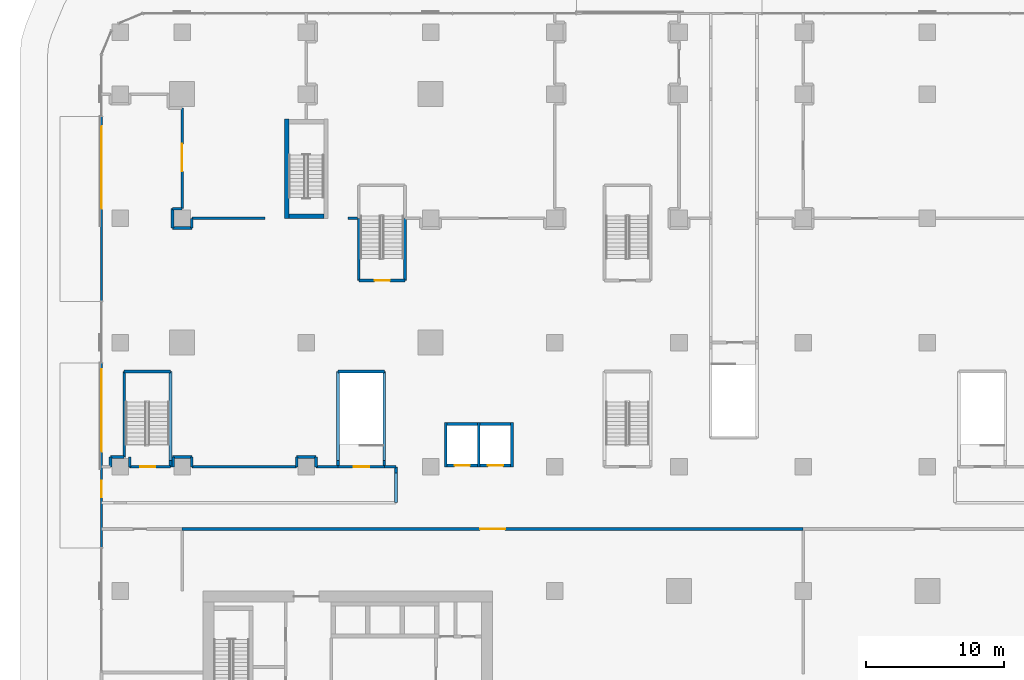
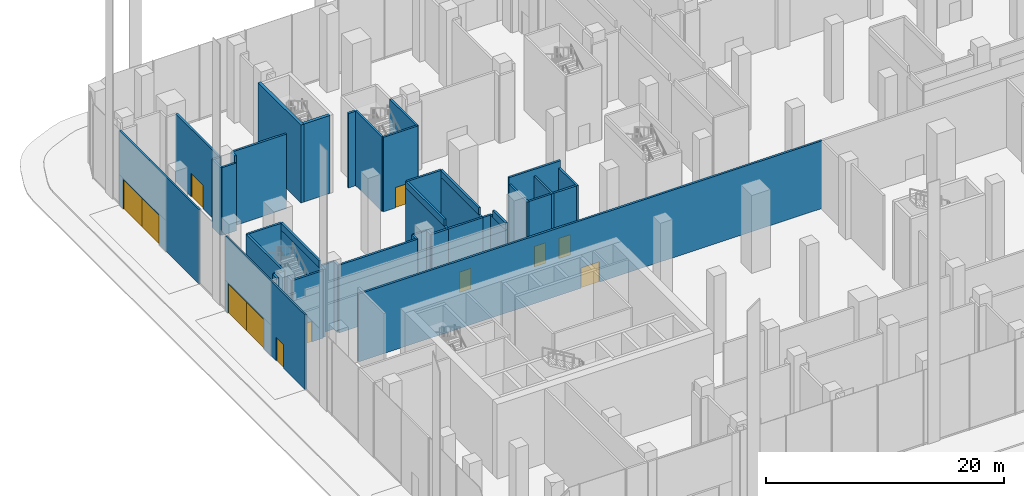
# One storey, part 19 of 42: 45 walls, 12 doors, 12 openings.
"""IFC4 building model written with IfcOpenShell, lengths in metres."""

from ifc_helpers import new_model, si_unit, direction, frame, frame_2d, origin, place, context, subcontext, project, spatial, rectangle, extrude, material, layer, layer_set, type_object, element, fill, save


model = new_model("IFC4")

# Units and contexts
model_context = context("Model", 3, precision=1e-05, world=origin(), true_north=direction((0.0, 1.0)))
body_context = subcontext(model_context, "Body", "Model", "MODEL_VIEW")
ifc_project = project(units=[si_unit("LENGTHUNIT", "METRE"), si_unit("AREAUNIT", "SQUARE_METRE"), si_unit("VOLUMEUNIT", "CUBIC_METRE"), si_unit("PLANEANGLEUNIT", "RADIAN"), si_unit("MASSUNIT", "GRAM", prefix="KILO")], contexts=[model_context])

# Site, building, storey
site_placement = place(None, origin())
site = spatial("IfcSite", under=ifc_project, at=site_placement, CompositionType="ELEMENT")
building_placement = place(site_placement, origin())
building = spatial("IfcBuilding", under=site, at=building_placement, Name="Plateau Cross Towers", CompositionType="ELEMENT")
storey_placement = place(building_placement, origin())
storey = spatial("IfcBuildingStorey", under=building, at=storey_placement, Name="L00", CompositionType="ELEMENT", Elevation=0.0)

# Wall, openings, doors
ifc_material_1 = material(Name="Concrete block, plastered both sides", Category="concrete")
ifc_layer_1 = layer(ifc_material_1, 0.199951171875)
ifc_layer_set_1 = layer_set([ifc_layer_1], Name="Concrete block, plastered both sides")
wall_type_1 = type_object("IfcWallType", Name="Core partition 200", PredefinedType="PARTITIONING", material=ifc_layer_set_1)
wall_1_placement = place(storey_placement, frame((19.0, 27.10009765625, 0.0), z_axis=(0.0, 0.0, 1.0), x_axis=(1.0, 0.0, 0.0)))
wall_1 = element("IfcWall", 1, at=wall_1_placement, inside=storey, type_object=wall_type_1, Name="Core partition", PredefinedType="PARTITIONING", context=body_context, shape_type="SweptSolid", body=[
    extrude(rectangle(XDim=5.0, YDim=0.199951171875, at=frame_2d((2.5, 0.0))), origin(), (0.0, 0.0, 1.0), 6.949951171875),
])
opening_1_placement = place(wall_1_placement, frame((0.75, 0.0, 0.0)))
opening_1 = element("IfcOpeningElement", 2, at=opening_1_placement, cuts=wall_1, Name="Opening LD", PredefinedType="OPENING", context=body_context, shape_type="SweptSolid", body=[
    extrude(rectangle(XDim=1.10009765625, YDim=2.10009765625, at=frame_2d((0.550048828125, 1.050048828125))), frame((0.0, 0.10986328125, 0.0), z_axis=(0.0, -1.0, 0.0), x_axis=(1.0, 0.0, 0.0)), (0.0, 0.0, 1.0), 0.219970703125),
])
opening_2_placement = place(wall_1_placement, frame((3.14990234375, 0.0, 0.0)))
opening_2 = element("IfcOpeningElement", 3, at=opening_2_placement, cuts=wall_1, Name="Opening LD", PredefinedType="OPENING", context=body_context, shape_type="SweptSolid", body=[
    extrude(rectangle(XDim=1.10009765625, YDim=2.10009765625, at=frame_2d((0.550048828125, 1.050048828125))), frame((0.0, 0.10986328125, 0.0), z_axis=(0.0, -1.0, 0.0), x_axis=(1.0, 0.0, 0.0)), (0.0, 0.0, 1.0), 0.219970703125),
])
ifc_material_2 = material(Name="Stainless steel, fire-resisting sliding leaves", Category="steel")
door_type_1 = type_object("IfcDoorType", Name="Lift landing door 1100", OperationType="NOTDEFINED", PredefinedType="DOOR", material=ifc_material_2)
door_1_placement = place(opening_1_placement, origin())
door_1 = element("IfcDoor", 4, at=door_1_placement, inside=storey, type_object=door_type_1, Name="Lift landing door LD", OperationType="DOUBLE_DOOR_SLIDING", OverallHeight=2.10009765625, OverallWidth=1.10009765625, PredefinedType="DOOR", context=body_context, shape_type="SweptSolid", body=[
    extrude(rectangle(XDim=1.10009765625, YDim=2.10009765625, at=frame_2d((0.550048828125, 1.050048828125))), frame((0.0, 0.02490234375, 0.0), z_axis=(0.0, -1.0, 0.0), x_axis=(1.0, 0.0, 0.0)), (0.0, 0.0, 1.0), 0.050048828125),
])
fill(opening_1, door_1)
door_2_placement = place(opening_2_placement, origin())
door_2 = element("IfcDoor", 5, at=door_2_placement, inside=storey, type_object=door_type_1, Name="Lift landing door LD", OperationType="DOUBLE_DOOR_SLIDING", OverallHeight=2.10009765625, OverallWidth=1.10009765625, PredefinedType="DOOR", context=body_context, shape_type="SweptSolid", body=[
    extrude(rectangle(XDim=1.10009765625, YDim=2.10009765625, at=frame_2d((0.550048828125, 1.050048828125))), frame((0.0, 0.02490234375, 0.0), z_axis=(0.0, -1.0, 0.0), x_axis=(1.0, 0.0, 0.0)), (0.0, 0.0, 1.0), 0.050048828125),
])
fill(opening_2, door_2)

# Walls
wall_2_placement = place(storey_placement, frame((19.0, 30.10009765625, 0.0), z_axis=(0.0, 0.0, 1.0), x_axis=(1.0, 0.0, 0.0)))
element("IfcWall", 6, at=wall_2_placement, inside=storey, type_object=wall_type_1, Name="Core partition", PredefinedType="PARTITIONING", context=body_context, shape_type="SweptSolid", body=[
    extrude(rectangle(XDim=5.0, YDim=0.199951171875, at=frame_2d((2.5, 0.0))), origin(), (0.0, 0.0, 1.0), 7.64990234375),
])
for number, where, z_axis, x_axis, name in (
    (7, (19.10009765625, 27.0, 0.0), (0.0, 0.0, 1.0), (0.0, 1.0, 0.0), "Core partition"),
    (8, (21.5, 27.0, 0.0), (0.0, 0.0, 1.0), (0.0, 1.0, 0.0), "Core partition"),
    (9, (23.89990234375, 27.0, 0.0), (0.0, 0.0, 1.0), (0.0, 1.0, 0.0), "Core partition"),
):
    element("IfcWall", number, at=place(storey_placement, frame(where, z_axis=z_axis, x_axis=x_axis)), inside=storey, type_object=wall_type_1, Name=name, PredefinedType="PARTITIONING", context=body_context, shape_type="SweptSolid", body=[
        extrude(rectangle(XDim=3.199951171875, YDim=0.199951171875, at=frame_2d((1.60009765625, 0.0))), origin(), (0.0, 0.0, 1.0), 6.949951171875),
    ])

# Wall, openings, doors
ifc_material_3 = material(Name="Aluminium framed glazing", Category="aluminium")
ifc_layer_2 = layer(ifc_material_3, 0.159912109375)
ifc_layer_set_2 = layer_set([ifc_layer_2], Name="Aluminium framed glazing")
wall_type_2 = type_object("IfcWallType", Name="Entrance screen wall 160", PredefinedType="STANDARD", material=ifc_layer_set_2)
wall_3_placement = place(storey_placement, frame((-5.85009765625, 21.1298828125, 0.0), z_axis=(0.0, 0.0, 1.0), x_axis=(0.0, 1.0, 0.0)))
wall_3 = element("IfcWall", 10, at=wall_3_placement, inside=storey, type_object=wall_type_2, Name="Station station-W1 screen wall", PredefinedType="STANDARD", context=body_context, shape_type="SweptSolid", body=[
    extrude(rectangle(XDim=13.39501953125, YDim=0.159912109375, at=frame_2d((6.697509765625, 0.0))), origin(), (0.0, 0.0, 1.0), 7.64990234375),
])
opening_3_placement = place(wall_3_placement, frame((6.947509765625, 0.0, 0.0)))
opening_3 = element("IfcOpeningElement", 11, at=opening_3_placement, cuts=wall_3, Name="Opening XD3", PredefinedType="OPENING", context=body_context, shape_type="SweptSolid", body=[
    extrude(rectangle(XDim=3.0, YDim=3.0, at=frame_2d((1.5, 1.5))), frame((0.0, 0.08984375, 0.0), z_axis=(0.0, -1.0, 0.0), x_axis=(1.0, 0.0, 0.0)), (0.0, 0.0, 1.0), 0.179931640625),
])
opening_4_placement = place(wall_3_placement, frame((9.947509765625, 0.0, 0.0)))
opening_4 = element("IfcOpeningElement", 12, at=opening_4_placement, cuts=wall_3, Name="Opening XD3", PredefinedType="OPENING", context=body_context, shape_type="SweptSolid", body=[
    extrude(rectangle(XDim=3.0, YDim=3.0, at=frame_2d((1.5, 1.5))), frame((0.0, 0.08984375, 0.0), z_axis=(0.0, -1.0, 0.0), x_axis=(1.0, 0.0, 0.0)), (0.0, 0.0, 1.0), 0.179931640625),
])
opening_5_placement = place(wall_3_placement, frame((3.669921875, 0.0, 0.0)))
opening_5 = element("IfcOpeningElement", 13, at=opening_5_placement, cuts=wall_3, Name="Opening XD4", PredefinedType="OPENING", context=body_context, shape_type="SweptSolid", body=[
    extrude(rectangle(XDim=1.199951171875, YDim=2.39990234375, at=frame_2d((0.60009765625, 1.199951171875))), frame((0.0, 0.08984375, 0.0), z_axis=(0.0, -1.0, 0.0), x_axis=(1.0, 0.0, 0.0)), (0.0, 0.0, 1.0), 0.179931640625),
])
ifc_material_4 = material(Name="Steel S355", Category="steel")
door_type_2 = type_object("IfcDoorType", Name="Service door single leaf 1200x2400", OperationType="SINGLE_SWING_LEFT", PredefinedType="DOOR", material=ifc_material_4)
door_3_placement = place(opening_5_placement, origin())
door_3 = element("IfcDoor", 14, at=door_3_placement, inside=storey, type_object=door_type_2, Name="Exit door XP-W", OperationType="SINGLE_SWING_LEFT", OverallHeight=2.39990234375, OverallWidth=1.199951171875, PredefinedType="DOOR", context=body_context, shape_type="SweptSolid", body=[
    extrude(rectangle(XDim=1.199951171875, YDim=2.39990234375, at=frame_2d((0.60009765625, 1.199951171875))), frame((0.0, 0.02490234375, 0.0), z_axis=(0.0, -1.0, 0.0), x_axis=(1.0, 0.0, 0.0)), (0.0, 0.0, 1.0), 0.050048828125),
])
fill(opening_5, door_3)
door_type_3 = type_object("IfcDoorType", Name="Station entrance sliding door 3000x3000", OperationType="SLIDING_TO_LEFT", PredefinedType="DOOR", material=ifc_material_3)
door_4_placement = place(opening_3_placement, origin())
door_4 = element("IfcDoor", 15, at=door_4_placement, inside=storey, type_object=door_type_3, Name="Station station-W1 door 1", OperationType="SINGLE_SWING_LEFT", OverallHeight=3.0, OverallWidth=3.0, PredefinedType="DOOR", context=body_context, shape_type="SweptSolid", body=[
    extrude(rectangle(XDim=3.0, YDim=3.0, at=frame_2d((1.5, 1.5))), frame((0.0, 0.02490234375, 0.0), z_axis=(0.0, -1.0, 0.0), x_axis=(1.0, 0.0, 0.0)), (0.0, 0.0, 1.0), 0.050048828125),
])
fill(opening_3, door_4)
door_5_placement = place(opening_4_placement, origin())
door_5 = element("IfcDoor", 16, at=door_5_placement, inside=storey, type_object=door_type_3, Name="Station station-W1 door 2", OperationType="SINGLE_SWING_LEFT", OverallHeight=3.0, OverallWidth=3.0, PredefinedType="DOOR", context=body_context, shape_type="SweptSolid", body=[
    extrude(rectangle(XDim=3.0, YDim=3.0, at=frame_2d((1.5, 1.5))), frame((0.0, 0.02490234375, 0.0), z_axis=(0.0, -1.0, 0.0), x_axis=(1.0, 0.0, 0.0)), (0.0, 0.0, 1.0), 0.050048828125),
])
fill(opening_4, door_5)

wall_4_placement = place(storey_placement, frame((-5.85009765625, 38.989990234375, 0.0), z_axis=(0.0, 0.0, 1.0), x_axis=(0.0, 1.0, 0.0)))
wall_4 = element("IfcWall", 17, at=wall_4_placement, inside=storey, type_object=wall_type_2, Name="Station station-W2 screen wall", PredefinedType="STANDARD", context=body_context, shape_type="SweptSolid", body=[
    extrude(rectangle(XDim=13.39501953125, YDim=0.159912109375, at=frame_2d((6.697509765625, 0.0))), origin(), (0.0, 0.0, 1.0), 7.64990234375),
])
opening_6_placement = place(wall_4_placement, frame((6.697509765625, 0.0, 0.0)))
opening_6 = element("IfcOpeningElement", 18, at=opening_6_placement, cuts=wall_4, Name="Opening XD3", PredefinedType="OPENING", context=body_context, shape_type="SweptSolid", body=[
    extrude(rectangle(XDim=3.0, YDim=3.0, at=frame_2d((1.5, 1.5))), frame((0.0, 0.08984375, 0.0), z_axis=(0.0, -1.0, 0.0), x_axis=(1.0, 0.0, 0.0)), (0.0, 0.0, 1.0), 0.179931640625),
])
opening_7_placement = place(wall_4_placement, frame((9.697509765625, 0.0, 0.0)))
opening_7 = element("IfcOpeningElement", 19, at=opening_7_placement, cuts=wall_4, Name="Opening XD3", PredefinedType="OPENING", context=body_context, shape_type="SweptSolid", body=[
    extrude(rectangle(XDim=3.0, YDim=3.0, at=frame_2d((1.5, 1.5))), frame((0.0, 0.08984375, 0.0), z_axis=(0.0, -1.0, 0.0), x_axis=(1.0, 0.0, 0.0)), (0.0, 0.0, 1.0), 0.179931640625),
])
door_6_placement = place(opening_6_placement, origin())
door_6 = element("IfcDoor", 20, at=door_6_placement, inside=storey, type_object=door_type_3, Name="Station station-W2 door 1", OperationType="SINGLE_SWING_LEFT", OverallHeight=3.0, OverallWidth=3.0, PredefinedType="DOOR", context=body_context, shape_type="SweptSolid", body=[
    extrude(rectangle(XDim=3.0, YDim=3.0, at=frame_2d((1.5, 1.5))), frame((0.0, 0.02490234375, 0.0), z_axis=(0.0, -1.0, 0.0), x_axis=(1.0, 0.0, 0.0)), (0.0, 0.0, 1.0), 0.050048828125),
])
fill(opening_6, door_6)
door_7_placement = place(opening_7_placement, origin())
door_7 = element("IfcDoor", 21, at=door_7_placement, inside=storey, type_object=door_type_3, Name="Station station-W2 door 2", OperationType="SINGLE_SWING_LEFT", OverallHeight=3.0, OverallWidth=3.0, PredefinedType="DOOR", context=body_context, shape_type="SweptSolid", body=[
    extrude(rectangle(XDim=3.0, YDim=3.0, at=frame_2d((1.5, 1.5))), frame((0.0, 0.02490234375, 0.0), z_axis=(0.0, -1.0, 0.0), x_axis=(1.0, 0.0, 0.0)), (0.0, 0.0, 1.0), 0.050048828125),
])
fill(opening_7, door_7)

# Wall, opening, door
ifc_material_5 = material(Name="Gypsum board on steel studs", Category="steel")
ifc_layer_3 = layer(ifc_material_5, 0.199951171875)
ifc_layer_set_3 = layer_set([ifc_layer_3], Name="Gypsum board on steel studs")
wall_type_3 = type_object("IfcWallType", Name="Podium partition 200", PredefinedType="PARTITIONING", material=ifc_layer_set_3)
wall_5_placement = place(storey_placement, frame((45.0, 22.5, 0.0), z_axis=(0.0, 0.0, 1.0), x_axis=(-1.0, 0.0, 0.0)))
wall_5 = element("IfcWall", 22, at=wall_5_placement, inside=storey, type_object=wall_type_3, Name="Partition wall", PredefinedType="PARTITIONING", context=body_context, shape_type="SweptSolid", body=[
    extrude(rectangle(XDim=45.0, YDim=0.199951171875, at=frame_2d((22.5, 0.0))), origin(), (0.0, 0.0, 1.0), 6.949951171875),
])
opening_8_placement = place(wall_5_placement, frame((21.60009765625, 0.0, 0.0)))
opening_8 = element("IfcOpeningElement", 23, at=opening_8_placement, cuts=wall_5, Name="Opening 00-32", PredefinedType="OPENING", context=body_context, shape_type="SweptSolid", body=[
    extrude(rectangle(XDim=1.800048828125, YDim=2.10009765625, at=frame_2d((0.89990234375, 1.050048828125))), frame((0.0, 0.10986328125, 0.0), z_axis=(0.0, -1.0, 0.0), x_axis=(1.0, 0.0, 0.0)), (0.0, 0.0, 1.0), 0.219970703125),
])
ifc_material_6 = material(Name="Aluminium frame, toughened glass", Category="aluminium")
door_type_4 = type_object("IfcDoorType", Name="Podium door pair 1800", OperationType="NOTDEFINED", PredefinedType="DOOR", material=ifc_material_6)
door_8_placement = place(opening_8_placement, origin())
door_8 = element("IfcDoor", 24, at=door_8_placement, inside=storey, type_object=door_type_4, Name="Door 00-32", OperationType="DOUBLE_DOOR_SINGLE_SWING", OverallHeight=2.10009765625, OverallWidth=1.800048828125, PredefinedType="DOOR", context=body_context, shape_type="SweptSolid", body=[
    extrude(rectangle(XDim=1.800048828125, YDim=2.10009765625, at=frame_2d((0.89990234375, 1.050048828125))), frame((0.0, 0.02490234375, 0.0), z_axis=(0.0, -1.0, 0.0), x_axis=(1.0, 0.0, 0.0)), (0.0, 0.0, 1.0), 0.050048828125),
])
fill(opening_8, door_8)

wall_6_placement = place(storey_placement, frame((0.0, 53.0, 0.0), z_axis=(0.0, 0.0, 1.0), x_axis=(0.0, -1.0, 0.0)))
wall_6 = element("IfcWall", 25, at=wall_6_placement, inside=storey, type_object=wall_type_3, Name="Partition wall", PredefinedType="PARTITIONING", context=body_context, shape_type="SweptSolid", body=[
    extrude(rectangle(XDim=7.300048828125, YDim=0.199951171875, at=frame_2d((3.64990234375, 0.0))), origin(), (0.0, 0.0, 1.0), 6.949951171875),
])
opening_9_placement = place(wall_6_placement, frame((2.60009765625, 0.0, 0.0)))
opening_9 = element("IfcOpeningElement", 26, at=opening_9_placement, cuts=wall_6, Name="Opening 00-24", PredefinedType="OPENING", context=body_context, shape_type="SweptSolid", body=[
    extrude(rectangle(XDim=2.0, YDim=2.39990234375, at=frame_2d((1.0, 1.199951171875))), frame((0.0, 0.10986328125, 0.0), z_axis=(0.0, -1.0, 0.0), x_axis=(1.0, 0.0, 0.0)), (0.0, 0.0, 1.0), 0.219970703125),
])
door_type_5 = type_object("IfcDoorType", Name="Shop entrance double door 2000x2400", OperationType="NOTDEFINED", PredefinedType="DOOR", material=ifc_material_6)
door_9_placement = place(opening_9_placement, origin())
door_9 = element("IfcDoor", 27, at=door_9_placement, inside=storey, type_object=door_type_5, Name="Door 00-24", OperationType="SINGLE_SWING_LEFT", OverallHeight=2.39990234375, OverallWidth=2.0, PredefinedType="DOOR", context=body_context, shape_type="SweptSolid", body=[
    extrude(rectangle(XDim=2.0, YDim=2.39990234375, at=frame_2d((1.0, 1.199951171875))), frame((0.0, 0.02490234375, 0.0), z_axis=(0.0, -1.0, 0.0), x_axis=(1.0, 0.0, 0.0)), (0.0, 0.0, 1.0), 0.050048828125),
])
fill(opening_9, door_9)

# Walls
wall_7_placement = place(storey_placement, frame((0.0, 45.699951171875, 0.0), z_axis=(0.0, 0.0, 1.0), x_axis=(-1.0, 0.0, 0.0)))
element("IfcWall", 28, at=wall_7_placement, inside=storey, type_object=wall_type_3, Name="Partition wall", PredefinedType="PARTITIONING", context=body_context, shape_type="SweptSolid", body=[
    extrude(rectangle(XDim=0.699951171875, YDim=0.199951171875, at=frame_2d((0.35009765625, 0.0))), origin(), (0.0, 0.0, 1.0), 6.949951171875),
])
for number, where, z_axis, x_axis, name in (
    (29, (-0.699951171875, 45.699951171875, 0.0), (0.0, 0.0, 1.0), (0.0, -1.0, 0.0), "Partition wall"),
    (30, (-0.699951171875, 44.300048828125, 0.0), (0.0, 0.0, 1.0), (1.0, 0.0, 0.0), "Partition wall"),
):
    element("IfcWall", number, at=place(storey_placement, frame(where, z_axis=z_axis, x_axis=x_axis)), inside=storey, type_object=wall_type_3, Name=name, PredefinedType="PARTITIONING", context=body_context, shape_type="SweptSolid", body=[
        extrude(rectangle(XDim=1.39990234375, YDim=0.199951171875, at=frame_2d((0.699951171875, 0.0))), origin(), (0.0, 0.0, 1.0), 6.949951171875),
    ])
wall_8_placement = place(storey_placement, frame((0.699951171875, 44.300048828125, 0.0), z_axis=(0.0, 0.0, 1.0), x_axis=(0.0, 1.0, 0.0)))
element("IfcWall", 31, at=wall_8_placement, inside=storey, type_object=wall_type_3, Name="Partition wall", PredefinedType="PARTITIONING", context=body_context, shape_type="SweptSolid", body=[
    extrude(rectangle(XDim=0.699951171875, YDim=0.199951171875, at=frame_2d((0.35009765625, 0.0))), origin(), (0.0, 0.0, 1.0), 7.64990234375),
])
wall_9_placement = place(storey_placement, frame((0.699951171875, 45.0, 0.0), z_axis=(0.0, 0.0, 1.0), x_axis=(1.0, 0.0, 0.0)))
element("IfcWall", 32, at=wall_9_placement, inside=storey, type_object=wall_type_3, Name="Partition wall", PredefinedType="PARTITIONING", context=body_context, shape_type="SweptSolid", body=[
    extrude(rectangle(XDim=5.300048828125, YDim=0.199951171875, at=frame_2d((2.64990234375, 0.0))), origin(), (0.0, 0.0, 1.0), 7.64990234375),
])
wall_10_placement = place(storey_placement, frame((12.0, 45.0, 0.0), z_axis=(0.0, 0.0, 1.0), x_axis=(1.0, 0.0, 0.0)))
element("IfcWall", 33, at=wall_10_placement, inside=storey, type_object=wall_type_3, Name="Partition wall", PredefinedType="PARTITIONING", context=body_context, shape_type="SweptSolid", body=[
    extrude(rectangle(XDim=0.699951171875, YDim=0.199951171875, at=frame_2d((0.35009765625, 0.0))), origin(), (0.0, 0.0, 1.0), 7.64990234375),
])
ifc_material_7 = material(Name="Fire-rated plasterboard shaft wall system")
ifc_layer_4 = layer(ifc_material_7, 0.199951171875)
ifc_layer_set_4 = layer_set([ifc_layer_4], Name="Fire-rated plasterboard shaft wall system")
wall_type_4 = type_object("IfcWallType", Name="Podium stair shaft wall 200", PredefinedType="PARTITIONING", material=ifc_layer_set_4)
wall_11_placement = place(storey_placement, frame((14.64990234375, 27.0, 0.0), z_axis=(0.0, 0.0, 1.0), x_axis=(1.0, 0.0, 0.0)))
element("IfcWall", 34, at=wall_11_placement, inside=storey, type_object=wall_type_4, Name="Partition wall", PredefinedType="PARTITIONING", context=body_context, shape_type="SweptSolid", body=[
    extrude(rectangle(XDim=0.85009765625, YDim=0.199951171875, at=frame_2d((0.425048828125, 0.0))), origin(), (0.0, 0.0, 1.0), 6.949951171875),
])
wall_12_placement = place(storey_placement, frame((15.5, 27.0, 0.0), z_axis=(0.0, 0.0, 1.0), x_axis=(0.0, -1.0, 0.0)))
element("IfcWall", 35, at=wall_12_placement, inside=storey, type_object=wall_type_4, Name="Partition wall", PredefinedType="PARTITIONING", context=body_context, shape_type="SweptSolid", body=[
    extrude(rectangle(XDim=2.60009765625, YDim=0.199951171875, at=frame_2d((1.300048828125, 0.0))), origin(), (0.0, 0.0, 1.0), 6.949951171875),
])
wall_13_placement = place(storey_placement, frame((11.300048828125, 27.0, 0.0), z_axis=(0.0, 0.0, 1.0), x_axis=(0.0, 1.0, 0.0)))
element("IfcWall", 36, at=wall_13_placement, inside=storey, type_object=wall_type_4, Name="Partition wall", PredefinedType="PARTITIONING", context=body_context, shape_type="SweptSolid", body=[
    extrude(rectangle(XDim=6.89990234375, YDim=0.199951171875, at=frame_2d((3.449951171875, 0.0))), origin(), (0.0, 0.0, 1.0), 6.949951171875),
])
wall_14_placement = place(storey_placement, frame((11.300048828125, 33.89990234375, 0.0), z_axis=(0.0, 0.0, 1.0), x_axis=(1.0, 0.0, 0.0)))
element("IfcWall", 37, at=wall_14_placement, inside=storey, type_object=wall_type_4, Name="Partition wall", PredefinedType="PARTITIONING", context=body_context, shape_type="SweptSolid", body=[
    extrude(rectangle(XDim=3.349853515625, YDim=0.199951171875, at=frame_2d((1.6748046875, 0.0))), origin(), (0.0, 0.0, 1.0), 7.64990234375),
])
wall_15_placement = place(storey_placement, frame((14.64990234375, 33.89990234375, 0.0), z_axis=(0.0, 0.0, 1.0), x_axis=(0.0, -1.0, 0.0)))
element("IfcWall", 38, at=wall_15_placement, inside=storey, type_object=wall_type_4, Name="Partition wall", PredefinedType="PARTITIONING", context=body_context, shape_type="SweptSolid", body=[
    extrude(rectangle(XDim=6.89990234375, YDim=0.199951171875, at=frame_2d((3.449951171875, 0.0))), origin(), (0.0, 0.0, 1.0), 6.949951171875),
])
wall_16_placement = place(storey_placement, frame((-0.64990234375, 27.0, 0.0), z_axis=(0.0, 0.0, 1.0), x_axis=(0.0, 1.0, 0.0)))
element("IfcWall", 39, at=wall_16_placement, inside=storey, type_object=wall_type_4, Name="Partition wall", PredefinedType="PARTITIONING", context=body_context, shape_type="SweptSolid", body=[
    extrude(rectangle(XDim=0.699951171875, YDim=0.199951171875, at=frame_2d((0.35009765625, 0.0))), origin(), (0.0, 0.0, 1.0), 6.949951171875),
])
wall_17_placement = place(storey_placement, frame((-0.699951171875, 27.699951171875, 0.0), z_axis=(0.0, 0.0, 1.0), x_axis=(1.0, 0.0, 0.0)))
element("IfcWall", 40, at=wall_17_placement, inside=storey, type_object=wall_type_4, Name="Partition wall", PredefinedType="PARTITIONING", context=body_context, shape_type="SweptSolid", body=[
    extrude(rectangle(XDim=1.39990234375, YDim=0.199951171875, at=frame_2d((0.699951171875, 0.0))), origin(), (0.0, 0.0, 1.0), 6.949951171875),
])
wall_18_placement = place(storey_placement, frame((0.699951171875, 27.699951171875, 0.0), z_axis=(0.0, 0.0, 1.0), x_axis=(0.0, -1.0, 0.0)))
element("IfcWall", 41, at=wall_18_placement, inside=storey, type_object=wall_type_4, Name="Partition wall", PredefinedType="PARTITIONING", context=body_context, shape_type="SweptSolid", body=[
    extrude(rectangle(XDim=0.699951171875, YDim=0.199951171875, at=frame_2d((0.35009765625, 0.0))), origin(), (0.0, 0.0, 1.0), 6.949951171875),
])
wall_19_placement = place(storey_placement, frame((0.699951171875, 27.0, 0.0), z_axis=(0.0, 0.0, 1.0), x_axis=(1.0, 0.0, 0.0)))
element("IfcWall", 42, at=wall_19_placement, inside=storey, type_object=wall_type_4, Name="Partition wall", PredefinedType="PARTITIONING", context=body_context, shape_type="SweptSolid", body=[
    extrude(rectangle(XDim=7.60009765625, YDim=0.199951171875, at=frame_2d((3.800048828125, 0.0))), origin(), (0.0, 0.0, 1.0), 6.949951171875),
])
wall_20_placement = place(storey_placement, frame((8.300048828125, 27.0, 0.0), z_axis=(0.0, 0.0, 1.0), x_axis=(0.0, 1.0, 0.0)))
element("IfcWall", 43, at=wall_20_placement, inside=storey, type_object=wall_type_4, Name="Partition wall", PredefinedType="PARTITIONING", context=body_context, shape_type="SweptSolid", body=[
    extrude(rectangle(XDim=0.699951171875, YDim=0.199951171875, at=frame_2d((0.35009765625, 0.0))), origin(), (0.0, 0.0, 1.0), 6.949951171875),
])
wall_21_placement = place(storey_placement, frame((8.300048828125, 27.699951171875, 0.0), z_axis=(0.0, 0.0, 1.0), x_axis=(1.0, 0.0, 0.0)))
element("IfcWall", 44, at=wall_21_placement, inside=storey, type_object=wall_type_4, Name="Partition wall", PredefinedType="PARTITIONING", context=body_context, shape_type="SweptSolid", body=[
    extrude(rectangle(XDim=1.39990234375, YDim=0.199951171875, at=frame_2d((0.699951171875, 0.0))), origin(), (0.0, 0.0, 1.0), 6.949951171875),
])
wall_22_placement = place(storey_placement, frame((9.699951171875, 27.699951171875, 0.0), z_axis=(0.0, 0.0, 1.0), x_axis=(0.0, -1.0, 0.0)))
element("IfcWall", 45, at=wall_22_placement, inside=storey, type_object=wall_type_4, Name="Partition wall", PredefinedType="PARTITIONING", context=body_context, shape_type="SweptSolid", body=[
    extrude(rectangle(XDim=0.699951171875, YDim=0.199951171875, at=frame_2d((0.35009765625, 0.0))), origin(), (0.0, 0.0, 1.0), 6.949951171875),
])
wall_23_placement = place(storey_placement, frame((9.699951171875, 27.0, 0.0), z_axis=(0.0, 0.0, 1.0), x_axis=(1.0, 0.0, 0.0)))
element("IfcWall", 46, at=wall_23_placement, inside=storey, type_object=wall_type_4, Name="Partition wall", PredefinedType="PARTITIONING", context=body_context, shape_type="SweptSolid", body=[
    extrude(rectangle(XDim=1.60009765625, YDim=0.199951171875, at=frame_2d((0.800048828125, 0.0))), origin(), (0.0, 0.0, 1.0), 6.949951171875),
])
wall_24_placement = place(storey_placement, frame((-4.199951171875, 33.89990234375, 0.0), z_axis=(0.0, 0.0, 1.0), x_axis=(1.0, 0.0, 0.0)))
element("IfcWall", 47, at=wall_24_placement, inside=storey, type_object=wall_type_4, Name="Partition wall", PredefinedType="PARTITIONING", context=body_context, shape_type="SweptSolid", body=[
    extrude(rectangle(XDim=3.349853515625, YDim=0.199951171875, at=frame_2d((1.6748046875, 0.0))), origin(), (0.0, 0.0, 1.0), 7.64990234375),
])
wall_25_placement = place(storey_placement, frame((-0.85009765625, 33.89990234375, 0.0), z_axis=(0.0, 0.0, 1.0), x_axis=(0.0, -1.0, 0.0)))
element("IfcWall", 48, at=wall_25_placement, inside=storey, type_object=wall_type_4, Name="Partition wall", PredefinedType="PARTITIONING", context=body_context, shape_type="SweptSolid", body=[
    extrude(rectangle(XDim=6.89990234375, YDim=0.199951171875, at=frame_2d((3.449951171875, 0.0))), origin(), (0.0, 0.0, 1.0), 6.949951171875),
])
wall_26_placement = place(storey_placement, frame((16.14990234375, 45.0, 0.0), z_axis=(0.0, 0.0, 1.0), x_axis=(0.0, -1.0, 0.0)))
element("IfcWall", 49, at=wall_26_placement, inside=storey, type_object=wall_type_4, Name="Partition wall", PredefinedType="PARTITIONING", context=body_context, shape_type="SweptSolid", body=[
    extrude(rectangle(XDim=4.5, YDim=0.199951171875, at=frame_2d((2.25, 0.0))), origin(), (0.0, 0.0, 1.0), 7.64990234375),
])

# Wall, opening, door
wall_27_placement = place(storey_placement, frame((16.14990234375, 40.5, 0.0), z_axis=(0.0, 0.0, 1.0), x_axis=(-1.0, 0.0, 0.0)))
wall_27 = element("IfcWall", 50, at=wall_27_placement, inside=storey, type_object=wall_type_4, Name="Partition wall", PredefinedType="PARTITIONING", context=body_context, shape_type="SweptSolid", body=[
    extrude(rectangle(XDim=3.349853515625, YDim=0.199951171875, at=frame_2d((1.6748046875, 0.0))), origin(), (0.0, 0.0, 1.0), 7.64990234375),
])
opening_10_placement = place(wall_27_placement, frame((1.10009765625, 0.0, 0.0)))
opening_10 = element("IfcOpeningElement", 51, at=opening_10_placement, cuts=wall_27, Name="Opening 00-10", PredefinedType="OPENING", context=body_context, shape_type="SweptSolid", body=[
    extrude(rectangle(XDim=1.10009765625, YDim=2.10009765625, at=frame_2d((0.550048828125, 1.050048828125))), frame((0.0, 0.10986328125, 0.0), z_axis=(0.0, -1.0, 0.0), x_axis=(1.0, 0.0, 0.0)), (0.0, 0.0, 1.0), 0.219970703125),
])
ifc_material_8 = material(Name="Steel, fire-resisting leaf", Category="steel")
door_type_6 = type_object("IfcDoorType", Name="Podium stair door 1100", OperationType="NOTDEFINED", PredefinedType="DOOR", material=ifc_material_8)
door_10_placement = place(opening_10_placement, origin())
door_10 = element("IfcDoor", 52, at=door_10_placement, inside=storey, type_object=door_type_6, Name="Door 00-10", OperationType="SINGLE_SWING_LEFT", OverallHeight=2.10009765625, OverallWidth=1.10009765625, PredefinedType="DOOR", context=body_context, shape_type="SweptSolid", body=[
    extrude(rectangle(XDim=1.10009765625, YDim=2.10009765625, at=frame_2d((0.550048828125, 1.050048828125))), frame((0.0, 0.02490234375, 0.0), z_axis=(0.0, -1.0, 0.0), x_axis=(1.0, 0.0, 0.0)), (0.0, 0.0, 1.0), 0.050048828125),
])
fill(opening_10, door_10)

# Walls
wall_28_placement = place(storey_placement, frame((-4.199951171875, 27.699951171875, 0.0), z_axis=(0.0, 0.0, 1.0), x_axis=(0.0, 1.0, 0.0)))
element("IfcWall", 53, at=wall_28_placement, inside=storey, type_object=wall_type_4, Name="Partition wall", PredefinedType="PARTITIONING", context=body_context, shape_type="SweptSolid", body=[
    extrude(rectangle(XDim=6.199951171875, YDim=0.199951171875, at=frame_2d((3.10009765625, 0.0))), origin(), (0.0, 0.0, 1.0), 7.64990234375),
])
wall_29_placement = place(storey_placement, frame((12.800048828125, 40.5, 0.0), z_axis=(0.0, 0.0, 1.0), x_axis=(0.0, 1.0, 0.0)))
element("IfcWall", 54, at=wall_29_placement, inside=storey, type_object=wall_type_4, Name="Partition wall", PredefinedType="PARTITIONING", context=body_context, shape_type="SweptSolid", body=[
    extrude(rectangle(XDim=4.5, YDim=0.199951171875, at=frame_2d((2.25, 0.0))), origin(), (0.0, 0.0, 1.0), 7.64990234375),
])

# Wall, opening, door
wall_30_placement = place(storey_placement, frame((-0.85009765625, 27.0, 0.0), z_axis=(0.0, 0.0, 1.0), x_axis=(-1.0, 0.0, 0.0)))
wall_30 = element("IfcWall", 55, at=wall_30_placement, inside=storey, type_object=wall_type_4, Name="Partition wall", PredefinedType="PARTITIONING", context=body_context, shape_type="SweptSolid", body=[
    extrude(rectangle(XDim=2.949951171875, YDim=0.199951171875, at=frame_2d((1.47509765625, 0.0))), origin(), (0.0, 0.0, 1.0), 6.949951171875),
])
opening_11_placement = place(wall_30_placement, frame((1.10009765625, 0.0, 0.0)))
opening_11 = element("IfcOpeningElement", 56, at=opening_11_placement, cuts=wall_30, Name="Opening 00-01", PredefinedType="OPENING", context=body_context, shape_type="SweptSolid", body=[
    extrude(rectangle(XDim=1.10009765625, YDim=2.10009765625, at=frame_2d((0.550048828125, 1.050048828125))), frame((0.0, 0.10986328125, 0.0), z_axis=(0.0, -1.0, 0.0), x_axis=(1.0, 0.0, 0.0)), (0.0, 0.0, 1.0), 0.219970703125),
])
door_11_placement = place(opening_11_placement, origin())
door_11 = element("IfcDoor", 57, at=door_11_placement, inside=storey, type_object=door_type_6, Name="Door 00-01", OperationType="SINGLE_SWING_LEFT", OverallHeight=2.10009765625, OverallWidth=1.10009765625, PredefinedType="DOOR", context=body_context, shape_type="SweptSolid", body=[
    extrude(rectangle(XDim=1.10009765625, YDim=2.10009765625, at=frame_2d((0.550048828125, 1.050048828125))), frame((0.0, 0.02490234375, 0.0), z_axis=(0.0, -1.0, 0.0), x_axis=(1.0, 0.0, 0.0)), (0.0, 0.0, 1.0), 0.050048828125),
])
fill(opening_11, door_11)

# Wall
wall_31_placement = place(storey_placement, frame((-3.800048828125, 27.0, 0.0), z_axis=(0.0, 0.0, 1.0), x_axis=(0.0, 1.0, 0.0)))
element("IfcWall", 58, at=wall_31_placement, inside=storey, type_object=wall_type_4, Name="Partition wall", PredefinedType="PARTITIONING", context=body_context, shape_type="SweptSolid", body=[
    extrude(rectangle(XDim=0.699951171875, YDim=0.199951171875, at=frame_2d((0.35009765625, 0.0))), origin(), (0.0, 0.0, 1.0), 6.949951171875),
])

# Wall, opening, door
wall_32_placement = place(storey_placement, frame((14.64990234375, 27.0, 0.0), z_axis=(0.0, 0.0, 1.0), x_axis=(-1.0, 0.0, 0.0)))
wall_32 = element("IfcWall", 59, at=wall_32_placement, inside=storey, type_object=wall_type_4, Name="Partition wall", PredefinedType="PARTITIONING", context=body_context, shape_type="SweptSolid", body=[
    extrude(rectangle(XDim=3.349853515625, YDim=0.199951171875, at=frame_2d((1.6748046875, 0.0))), origin(), (0.0, 0.0, 1.0), 6.949951171875),
])
opening_12_placement = place(wall_32_placement, frame((1.10009765625, 0.0, 0.0)))
opening_12 = element("IfcOpeningElement", 60, at=opening_12_placement, cuts=wall_32, Name="Opening 00-02", PredefinedType="OPENING", context=body_context, shape_type="SweptSolid", body=[
    extrude(rectangle(XDim=1.10009765625, YDim=2.10009765625, at=frame_2d((0.550048828125, 1.050048828125))), frame((0.0, 0.10986328125, 0.0), z_axis=(0.0, -1.0, 0.0), x_axis=(1.0, 0.0, 0.0)), (0.0, 0.0, 1.0), 0.219970703125),
])
door_12_placement = place(opening_12_placement, origin())
door_12 = element("IfcDoor", 61, at=door_12_placement, inside=storey, type_object=door_type_6, Name="Door 00-02", OperationType="SINGLE_SWING_LEFT", OverallHeight=2.10009765625, OverallWidth=1.10009765625, PredefinedType="DOOR", context=body_context, shape_type="SweptSolid", body=[
    extrude(rectangle(XDim=1.10009765625, YDim=2.10009765625, at=frame_2d((0.550048828125, 1.050048828125))), frame((0.0, 0.02490234375, 0.0), z_axis=(0.0, -1.0, 0.0), x_axis=(1.0, 0.0, 0.0)), (0.0, 0.0, 1.0), 0.050048828125),
])
fill(opening_12, door_12)

# Walls
wall_33_placement = place(storey_placement, frame((-5.199951171875, 27.0, 0.0), z_axis=(0.0, 0.0, 1.0), x_axis=(0.0, 1.0, 0.0)))
element("IfcWall", 62, at=wall_33_placement, inside=storey, type_object=wall_type_4, Name="Partition wall", PredefinedType="PARTITIONING", context=body_context, shape_type="SweptSolid", body=[
    extrude(rectangle(XDim=0.699951171875, YDim=0.199951171875, at=frame_2d((0.35009765625, 0.0))), origin(), (0.0, 0.0, 1.0), 7.64990234375),
])
wall_34_placement = place(storey_placement, frame((-5.199951171875, 27.699951171875, 0.0), z_axis=(0.0, 0.0, 1.0), x_axis=(1.0, 0.0, 0.0)))
element("IfcWall", 63, at=wall_34_placement, inside=storey, type_object=wall_type_4, Name="Partition wall", PredefinedType="PARTITIONING", context=body_context, shape_type="SweptSolid", body=[
    extrude(rectangle(XDim=1.0, YDim=0.199951171875, at=frame_2d((0.5, 0.0))), origin(), (0.0, 0.0, 1.0), 7.64990234375),
])
wall_35_placement = place(storey_placement, frame((15.5, 26.550048828125, 6.949951171875), z_axis=(0.0, 0.0, 1.0), x_axis=(0.0, -1.0, 0.0)))
element("IfcWall", 64, at=wall_35_placement, inside=storey, type_object=wall_type_4, Name="Partition wall head", PredefinedType="PARTITIONING", context=body_context, shape_type="SweptSolid", body=[
    extrude(rectangle(XDim=2.150146484375, YDim=0.199951171875, at=frame_2d((1.0751953125, 0.0))), origin(), (0.0, 0.0, 1.0), 0.699951171875),
])
for number, where, z_axis, x_axis, name in (
    (65, (11.300048828125, 27.449951171875, 6.949951171875), (0.0, 0.0, 1.0), (0.0, 1.0, 0.0), "Partition wall head"),
    (66, (14.64990234375, 33.89990234375, 6.949951171875), (0.0, 0.0, 1.0), (0.0, -1.0, 0.0), "Partition wall head"),
    (67, (-0.85009765625, 33.89990234375, 6.949951171875), (0.0, 0.0, 1.0), (0.0, -1.0, 0.0), "Partition wall head"),
):
    element("IfcWall", number, at=place(storey_placement, frame(where, z_axis=z_axis, x_axis=x_axis)), inside=storey, type_object=wall_type_4, Name=name, PredefinedType="PARTITIONING", context=body_context, shape_type="SweptSolid", body=[
        extrude(rectangle(XDim=6.449951171875, YDim=0.199951171875, at=frame_2d((3.22509765625, 0.0))), origin(), (0.0, 0.0, 1.0), 0.699951171875),
    ])
ifc_material_9 = material(Name="Concrete C60/75", Category="concrete")
ifc_layer_5 = layer(ifc_material_9, 0.300048828125)
ifc_layer_set_5 = layer_set([ifc_layer_5], Name="Concrete C60/75")
wall_type_5 = type_object("IfcWallType", Name="Stair tower wall 300", PredefinedType="SHEAR", material=ifc_layer_set_5)
wall_36_placement = place(storey_placement, frame((7.72509765625, 45.14990234375, 0.0), z_axis=(0.0, 0.0, 1.0), x_axis=(1.0, 0.0, 0.0)))
element("IfcWall", 68, at=wall_36_placement, inside=storey, type_object=wall_type_5, Name="A-end-N-S@L00", PredefinedType="SHEAR", context=body_context, shape_type="SweptSolid", body=[
    extrude(rectangle(XDim=2.5498046875, YDim=0.300048828125, at=frame_2d((1.27490234375, 0.0))), origin(), (0.0, 0.0, 1.0), 8.0),
])
wall_37_placement = place(storey_placement, frame((7.574951171875, 45.0, 0.0), z_axis=(0.0, 0.0, 1.0), x_axis=(0.0, 1.0, 0.0)))
element("IfcWall", 69, at=wall_37_placement, inside=storey, type_object=wall_type_5, Name="A-end-N-W@L00", PredefinedType="SHEAR", context=body_context, shape_type="SweptSolid", body=[
    extrude(rectangle(XDim=7.199951171875, YDim=0.300048828125, at=frame_2d((3.60009765625, 0.0))), origin(), (0.0, 0.0, 1.0), 8.0),
])

save(model, "model.ifc")
